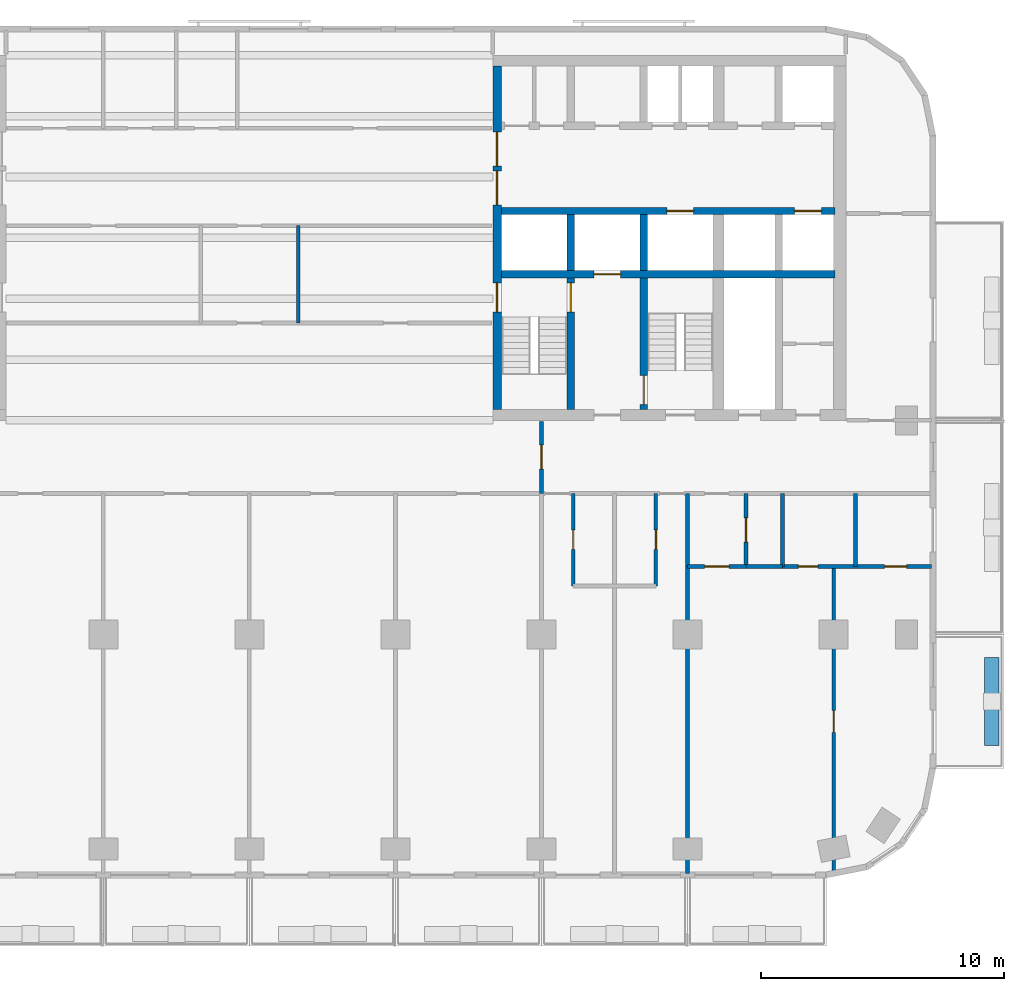
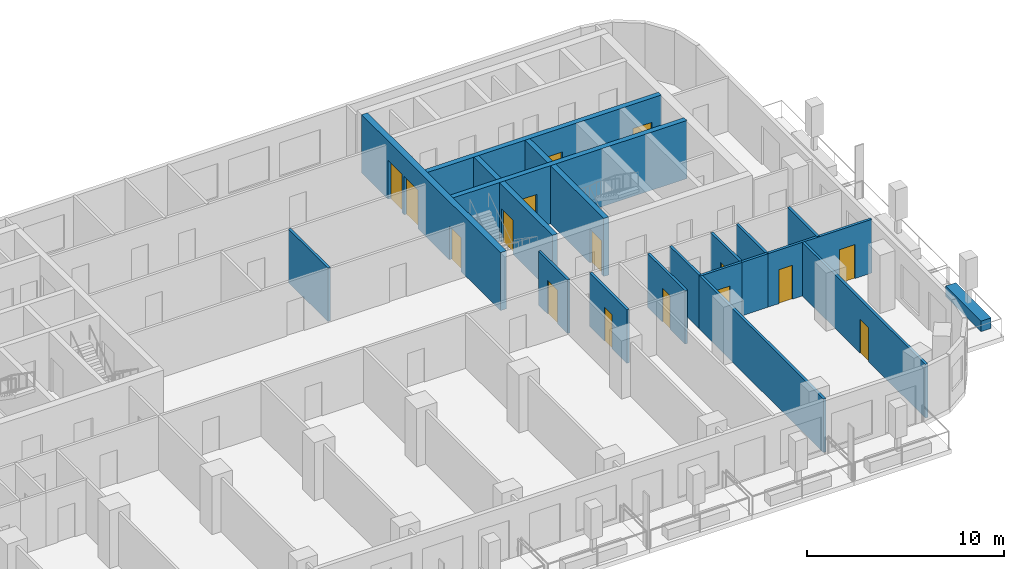
# One storey, part 5 of 12: 21 walls, 16 doors, 16 openings.
"""IFC4 building model written with IfcOpenShell, lengths in metres."""

from ifc_helpers import new_model, si_unit, direction, frame, frame_2d, origin, place, context, subcontext, project, spatial, rectangle, extrude, material, layer, layer_set, type_object, element, fill, save


model = new_model("IFC4")

# Units and contexts
model_context = context("Model", 3, precision=1e-05, world=origin(), true_north=direction((0.0, 1.0)))
body_context = subcontext(model_context, "Body", "Model", "MODEL_VIEW")
ifc_project = project(units=[si_unit("LENGTHUNIT", "METRE"), si_unit("AREAUNIT", "SQUARE_METRE"), si_unit("VOLUMEUNIT", "CUBIC_METRE"), si_unit("PLANEANGLEUNIT", "RADIAN"), si_unit("MASSUNIT", "GRAM", prefix="KILO")], contexts=[model_context])

# Site, building, storey
site_placement = place(None, origin())
site = spatial("IfcSite", under=ifc_project, at=site_placement, CompositionType="ELEMENT")
building_placement = place(site_placement, origin())
building = spatial("IfcBuilding", under=site, at=building_placement, Name="Torana Hotel and Residences", CompositionType="ELEMENT")
storey_placement = place(building_placement, frame((0.0, 0.0, 156.0)))
storey = spatial("IfcBuildingStorey", under=building, at=storey_placement, Name="L40", CompositionType="ELEMENT", Elevation=156.0)

# Wall, openings, doors
ifc_material_1 = material(Name="Concrete C70/85", Category="concrete")
ifc_layer_1 = layer(ifc_material_1, 0.300048828125)
ifc_layer_set_1 = layer_set([ifc_layer_1], Name="CORE WALL 300 C70/85")
wall_type_1 = type_object("IfcWallType", Name="CORE WALL 300 C70/85", PredefinedType="SHEAR", material=ifc_layer_set_1)
wall_1_placement = place(storey_placement, frame((10.35009765625, -6.39990234375, 0.0), z_axis=(0.0, 0.0, 1.0), x_axis=(1.0, 0.0, 0.0)))
wall_1 = element("IfcWall", 1, at=wall_1_placement, inside=storey, type_object=wall_type_1, Name="Core wall E row-S", PredefinedType="SHEAR", context=body_context, shape_type="SweptSolid", body=[
    extrude(rectangle(XDim=13.699951171875, YDim=0.300048828125, at=frame_2d((6.85009765625, 0.0))), origin(), (0.0, 0.0, 1.0), 3.60009765625),
])
opening_1_placement = place(wall_1_placement, frame((12.050048828125, 0.0, 0.0)))
opening_1 = element("IfcOpeningElement", 2, at=opening_1_placement, cuts=wall_1, Name="Opening LD", PredefinedType="OPENING", context=body_context, shape_type="SweptSolid", body=[
    extrude(rectangle(XDim=1.10009765625, YDim=2.10009765625, at=frame_2d((0.550048828125, 1.050048828125))), frame((0.0, 0.159912109375, 0.0), z_axis=(0.0, -1.0, 0.0), x_axis=(1.0, 0.0, 0.0)), (0.0, 0.0, 1.0), 0.320068359375),
])
opening_2_placement = place(wall_1_placement, frame((6.800048828125, 0.0, 0.0)))
opening_2 = element("IfcOpeningElement", 3, at=opening_2_placement, cuts=wall_1, Name="Opening LD", PredefinedType="OPENING", context=body_context, shape_type="SweptSolid", body=[
    extrude(rectangle(XDim=1.10009765625, YDim=2.10009765625, at=frame_2d((0.550048828125, 1.050048828125))), frame((0.0, 0.159912109375, 0.0), z_axis=(0.0, -1.0, 0.0), x_axis=(1.0, 0.0, 0.0)), (0.0, 0.0, 1.0), 0.320068359375),
])
ifc_material_2 = material(Name="Stainless steel 316", Category="steel")
door_type_1 = type_object("IfcDoorType", Name="LIFT LANDING DOOR LD 1100x2100", OperationType="DOUBLE_DOOR_SLIDING", PredefinedType="USERDEFINED", material=ifc_material_2)
door_1_placement = place(opening_1_placement, origin())
door_1 = element("IfcDoor", 4, at=door_1_placement, inside=storey, type_object=door_type_1, Name="Lift landing door M4 L40", ObjectType="LIFT LANDING DOOR", OperationType="DOUBLE_DOOR_SLIDING", OverallHeight=2.10009765625, OverallWidth=1.10009765625, PredefinedType="USERDEFINED", context=body_context, shape_type="SweptSolid", body=[
    extrude(rectangle(XDim=1.10009765625, YDim=2.10009765625, at=frame_2d((0.550048828125, 1.050048828125))), frame((0.0, 0.02490234375, 0.0), z_axis=(0.0, -1.0, 0.0), x_axis=(1.0, 0.0, 0.0)), (0.0, 0.0, 1.0), 0.050048828125),
])
fill(opening_1, door_1)
door_2_placement = place(opening_2_placement, origin())
door_2 = element("IfcDoor", 5, at=door_2_placement, inside=storey, type_object=door_type_1, Name="Lift landing door SV2 L40", ObjectType="LIFT LANDING DOOR", OperationType="DOUBLE_DOOR_SLIDING", OverallHeight=2.10009765625, OverallWidth=1.10009765625, PredefinedType="USERDEFINED", context=body_context, shape_type="SweptSolid", body=[
    extrude(rectangle(XDim=1.10009765625, YDim=2.10009765625, at=frame_2d((0.550048828125, 1.050048828125))), frame((0.0, 0.02490234375, 0.0), z_axis=(0.0, -1.0, 0.0), x_axis=(1.0, 0.0, 0.0)), (0.0, 0.0, 1.0), 0.050048828125),
])
fill(opening_2, door_2)

# Wall, opening, door
wall_2_placement = place(storey_placement, frame((10.35009765625, -9.0, 0.0), z_axis=(0.0, 0.0, 1.0), x_axis=(1.0, 0.0, 0.0)))
wall_2 = element("IfcWall", 6, at=wall_2_placement, inside=storey, type_object=wall_type_1, Name="Core wall E band", PredefinedType="SHEAR", context=body_context, shape_type="SweptSolid", body=[
    extrude(rectangle(XDim=13.699951171875, YDim=0.300048828125, at=frame_2d((6.85009765625, 0.0))), origin(), (0.0, 0.0, 1.0), 3.60009765625),
])
opening_3_placement = place(wall_2_placement, frame((3.800048828125, 0.0, 0.0)))
opening_3 = element("IfcOpeningElement", 7, at=opening_3_placement, cuts=wall_2, Name="Opening LD", PredefinedType="OPENING", context=body_context, shape_type="SweptSolid", body=[
    extrude(rectangle(XDim=1.10009765625, YDim=2.10009765625, at=frame_2d((0.550048828125, 1.050048828125))), frame((0.0, 0.159912109375, 0.0), z_axis=(0.0, -1.0, 0.0), x_axis=(1.0, 0.0, 0.0)), (0.0, 0.0, 1.0), 0.320068359375),
])
door_3_placement = place(opening_3_placement, origin())
door_3 = element("IfcDoor", 8, at=door_3_placement, inside=storey, type_object=door_type_1, Name="Lift landing door FF2 L40", ObjectType="LIFT LANDING DOOR", OperationType="DOUBLE_DOOR_SLIDING", OverallHeight=2.10009765625, OverallWidth=1.10009765625, PredefinedType="USERDEFINED", context=body_context, shape_type="SweptSolid", body=[
    extrude(rectangle(XDim=1.10009765625, YDim=2.10009765625, at=frame_2d((0.550048828125, 1.050048828125))), frame((0.0, 0.02490234375, 0.0), z_axis=(0.0, -1.0, 0.0), x_axis=(1.0, 0.0, 0.0)), (0.0, 0.0, 1.0), 0.050048828125),
])
fill(opening_3, door_3)

# Wall
wall_3_placement = place(storey_placement, frame((13.199951171875, -8.85009765625, 0.0), z_axis=(0.0, 0.0, 1.0), x_axis=(0.0, 1.0, 0.0)))
element("IfcWall", 9, at=wall_3_placement, inside=storey, type_object=wall_type_1, Name="Core wall E x3.05-S", PredefinedType="SHEAR", context=body_context, shape_type="SweptSolid", body=[
    extrude(rectangle(XDim=2.300048828125, YDim=0.300048828125, at=frame_2d((1.14990234375, 0.0))), origin(), (0.0, 0.0, 1.0), 3.60009765625),
])

# Wall, opening, door
wall_4_placement = place(storey_placement, frame((13.199951171875, -14.550048828125, 0.0), z_axis=(0.0, 0.0, 1.0), x_axis=(0.0, 1.0, 0.0)))
wall_4 = element("IfcWall", 10, at=wall_4_placement, inside=storey, type_object=wall_type_1, Name="Core wall E x3.05-band", PredefinedType="SHEAR", context=body_context, shape_type="SweptSolid", body=[
    extrude(rectangle(XDim=5.400146484375, YDim=0.300048828125, at=frame_2d((2.7001953125, 0.0))), origin(), (0.0, 0.0, 1.0), 3.60009765625),
])
opening_4_placement = place(wall_4_placement, frame((4.0, 0.0, 0.0)))
opening_4 = element("IfcOpeningElement", 11, at=opening_4_placement, cuts=wall_4, Name="Opening L40-29", PredefinedType="OPENING", context=body_context, shape_type="SweptSolid", body=[
    extrude(rectangle(XDim=1.199951171875, YDim=2.10009765625, at=frame_2d((0.60009765625, 1.050048828125))), frame((0.0, 0.159912109375, 0.0), z_axis=(0.0, -1.0, 0.0), x_axis=(1.0, 0.0, 0.0)), (0.0, 0.0, 1.0), 0.320068359375),
])
ifc_material_3 = material(Name="Steel S235", Category="steel")
door_type_2 = type_object("IfcDoorType", Name="STAIR FIRE DOOR D3 1200x2100", OperationType="SINGLE_SWING_LEFT", PredefinedType="DOOR", material=ifc_material_3)
door_4_placement = place(opening_4_placement, origin())
door_4 = element("IfcDoor", 12, at=door_4_placement, inside=storey, type_object=door_type_2, Name="Stair-A-lobby door L40", OperationType="SINGLE_SWING_LEFT", OverallHeight=2.10009765625, OverallWidth=1.199951171875, PredefinedType="DOOR", context=body_context, shape_type="SweptSolid", body=[
    extrude(rectangle(XDim=1.199951171875, YDim=2.10009765625, at=frame_2d((0.60009765625, 1.050048828125))), frame((0.0, 0.02490234375, 0.0), z_axis=(0.0, -1.0, 0.0), x_axis=(1.0, 0.0, 0.0)), (0.0, 0.0, 1.0), 0.050048828125),
])
fill(opening_4, door_4)

# Wall
wall_5_placement = place(storey_placement, frame((16.199951171875, -8.85009765625, 0.0), z_axis=(0.0, 0.0, 1.0), x_axis=(0.0, 1.0, 0.0)))
element("IfcWall", 13, at=wall_5_placement, inside=storey, type_object=wall_type_1, Name="Core wall E x6.05-S", PredefinedType="SHEAR", context=body_context, shape_type="SweptSolid", body=[
    extrude(rectangle(XDim=2.300048828125, YDim=0.300048828125, at=frame_2d((1.14990234375, 0.0))), origin(), (0.0, 0.0, 1.0), 3.60009765625),
])

# Wall, opening, door
wall_6_placement = place(storey_placement, frame((16.199951171875, -14.550048828125, 0.0), z_axis=(0.0, 0.0, 1.0), x_axis=(0.0, 1.0, 0.0)))
wall_6 = element("IfcWall", 14, at=wall_6_placement, inside=storey, type_object=wall_type_1, Name="Core wall E x6.05-band", PredefinedType="SHEAR", context=body_context, shape_type="SweptSolid", body=[
    extrude(rectangle(XDim=5.400146484375, YDim=0.300048828125, at=frame_2d((2.7001953125, 0.0))), origin(), (0.0, 0.0, 1.0), 3.60009765625),
])
opening_5_placement = place(wall_6_placement, frame((0.199951171875, 0.0, 0.0)))
opening_5 = element("IfcOpeningElement", 15, at=opening_5_placement, cuts=wall_6, Name="Opening L40-30", PredefinedType="OPENING", context=body_context, shape_type="SweptSolid", body=[
    extrude(rectangle(XDim=1.199951171875, YDim=2.10009765625, at=frame_2d((0.60009765625, 1.050048828125))), frame((0.0, 0.159912109375, 0.0), z_axis=(0.0, -1.0, 0.0), x_axis=(1.0, 0.0, 0.0)), (0.0, 0.0, 1.0), 0.320068359375),
])
door_5_placement = place(opening_5_placement, frame((0.60009765625, 0.0, 0.0), z_axis=(0.0, 0.0, 1.0), x_axis=(-1.0, 0.0, 0.0)))
door_5 = element("IfcDoor", 16, at=door_5_placement, inside=storey, type_object=door_type_2, Name="Stair-B-lobby door L40", OperationType="SINGLE_SWING_LEFT", OverallHeight=2.10009765625, OverallWidth=1.199951171875, PredefinedType="DOOR", context=body_context, shape_type="SweptSolid", body=[
    extrude(rectangle(XDim=1.199951171875, YDim=2.10009765625, at=frame_2d((0.0, 1.050048828125))), frame((0.0, -0.02490234375, 0.0), z_axis=(0.0, 1.0, 0.0), x_axis=(-1.0, 0.0, 0.0)), (0.0, 0.0, 1.0), 0.050048828125),
])
fill(opening_5, door_5)

# Wall, openings, doors
ifc_material_4 = material(Name="Concrete C70/85", Category="concrete")
ifc_layer_2 = layer(ifc_material_4, 0.35009765625)
ifc_layer_set_2 = layer_set([ifc_layer_2], Name="CORE WALL 350 C70/85")
wall_type_2 = type_object("IfcWallType", Name="CORE WALL 350 C70/85", PredefinedType="SHEAR", material=ifc_layer_set_2)
wall_7_placement = place(storey_placement, frame((10.175048828125, -14.550048828125, 0.0), z_axis=(0.0, 0.0, 1.0), x_axis=(0.0, 1.0, 0.0)))
wall_7 = element("IfcWall", 17, at=wall_7_placement, inside=storey, type_object=wall_type_2, Name="Core wall E arch", PredefinedType="SHEAR", context=body_context, shape_type="SweptSolid", body=[
    extrude(rectangle(XDim=14.10009765625, YDim=0.35009765625, at=frame_2d((7.050048828125, 0.0))), origin(), (0.0, 0.0, 1.0), 3.60009765625),
])
opening_6_placement = place(wall_7_placement, frame((8.39990234375, 0.0, 0.0)))
opening_6 = element("IfcOpeningElement", 18, at=opening_6_placement, cuts=wall_7, Name="Opening L40-16", PredefinedType="OPENING", context=body_context, shape_type="SweptSolid", body=[
    extrude(rectangle(XDim=1.39990234375, YDim=2.39990234375, at=frame_2d((0.699951171875, 1.199951171875))), frame((0.0, 0.18505859375, 0.0), z_axis=(0.0, -1.0, 0.0), x_axis=(1.0, 0.0, 0.0)), (0.0, 0.0, 1.0), 0.3701171875),
])
opening_7_placement = place(wall_7_placement, frame((10.0, 0.0, 0.0)))
opening_7 = element("IfcOpeningElement", 19, at=opening_7_placement, cuts=wall_7, Name="Opening L40-17", PredefinedType="OPENING", context=body_context, shape_type="SweptSolid", body=[
    extrude(rectangle(XDim=1.39990234375, YDim=2.39990234375, at=frame_2d((0.699951171875, 1.199951171875))), frame((0.0, 0.18505859375, 0.0), z_axis=(0.0, -1.0, 0.0), x_axis=(1.0, 0.0, 0.0)), (0.0, 0.0, 1.0), 0.3701171875),
])
opening_8_placement = place(wall_7_placement, frame((4.0, 0.0, 0.0)))
opening_8 = element("IfcOpeningElement", 20, at=opening_8_placement, cuts=wall_7, Name="Opening L40-18", PredefinedType="OPENING", context=body_context, shape_type="SweptSolid", body=[
    extrude(rectangle(XDim=1.199951171875, YDim=2.10009765625, at=frame_2d((0.60009765625, 1.050048828125))), frame((0.0, 0.18505859375, 0.0), z_axis=(0.0, -1.0, 0.0), x_axis=(1.0, 0.0, 0.0)), (0.0, 0.0, 1.0), 0.3701171875),
])
ifc_material_5 = material(Name="Steel S235", Category="steel")
door_type_3 = type_object("IfcDoorType", Name="LOBBY FIRE DOOR D4 1400x2400", OperationType="DOUBLE_DOOR_SINGLE_SWING", PredefinedType="DOOR", material=ifc_material_5)
door_6_placement = place(opening_6_placement, origin())
door_6 = element("IfcDoor", 21, at=door_6_placement, inside=storey, type_object=door_type_3, Name="Lobby-1 door L40", OperationType="DOUBLE_DOOR_SINGLE_SWING", OverallHeight=2.39990234375, OverallWidth=1.39990234375, PredefinedType="DOOR", context=body_context, shape_type="SweptSolid", body=[
    extrude(rectangle(XDim=1.39990234375, YDim=2.39990234375, at=frame_2d((0.699951171875, 1.199951171875))), frame((0.0, 0.02490234375, 0.0), z_axis=(0.0, -1.0, 0.0), x_axis=(1.0, 0.0, 0.0)), (0.0, 0.0, 1.0), 0.050048828125),
])
fill(opening_6, door_6)
door_7_placement = place(opening_7_placement, origin())
door_7 = element("IfcDoor", 22, at=door_7_placement, inside=storey, type_object=door_type_3, Name="Lobby-2 door L40", OperationType="DOUBLE_DOOR_SINGLE_SWING", OverallHeight=2.39990234375, OverallWidth=1.39990234375, PredefinedType="DOOR", context=body_context, shape_type="SweptSolid", body=[
    extrude(rectangle(XDim=1.39990234375, YDim=2.39990234375, at=frame_2d((0.699951171875, 1.199951171875))), frame((0.0, 0.02490234375, 0.0), z_axis=(0.0, -1.0, 0.0), x_axis=(1.0, 0.0, 0.0)), (0.0, 0.0, 1.0), 0.050048828125),
])
fill(opening_7, door_7)
door_8_placement = place(opening_8_placement, frame((0.60009765625, 0.0, 0.0), z_axis=(0.0, 0.0, 1.0), x_axis=(-1.0, 0.0, 0.0)))
door_8 = element("IfcDoor", 23, at=door_8_placement, inside=storey, type_object=door_type_2, Name="Stair-A door L40", OperationType="SINGLE_SWING_RIGHT", OverallHeight=2.10009765625, OverallWidth=1.199951171875, PredefinedType="DOOR", context=body_context, shape_type="SweptSolid", body=[
    extrude(rectangle(XDim=1.199951171875, YDim=2.10009765625, at=frame_2d((0.0, 1.050048828125))), frame((0.0, -0.02490234375, 0.0), z_axis=(0.0, 1.0, 0.0), x_axis=(-1.0, 0.0, 0.0)), (0.0, 0.0, 1.0), 0.050048828125),
])
fill(opening_8, door_8)

# Wall, opening, door
ifc_material_6 = material(Name="Gypsum plaster")
ifc_layer_3 = layer(ifc_material_6, 0.014892578125, Name="Plaster", Category="finish")
ifc_material_7 = material(Name="Concrete blockwork", Category="masonry")
ifc_layer_4 = layer(ifc_material_7, 0.1201171875, Name="Blockwork", Category="structure")
ifc_layer_5 = layer(ifc_material_6, 0.014892578125, Name="Plaster", Category="finish")
ifc_layer_set_3 = layer_set([ifc_layer_3, ifc_layer_4, ifc_layer_5], Name="FIRE PARTITION 150 BLOCKWORK")
wall_type_3 = type_object("IfcWallType", Name="FIRE PARTITION 150 BLOCKWORK", PredefinedType="PARTITIONING", material=ifc_layer_set_3)
wall_8_placement = place(storey_placement, frame((20.39990234375, -21.0, 0.0), z_axis=(0.0, 0.0, 1.0), x_axis=(0.0, 1.0, 0.0)))
wall_8 = element("IfcWall", 24, at=wall_8_placement, inside=storey, type_object=wall_type_3, Name="Partition L40", PredefinedType="PARTITIONING", context=body_context, shape_type="SweptSolid", body=[
    extrude(rectangle(XDim=3.0, YDim=0.14990234375, at=frame_2d((1.5, 0.0))), origin(), (0.0, 0.0, 1.0), 3.320068359375),
])
opening_9_placement = place(wall_8_placement, frame((1.0, 0.0, 0.0)))
opening_9 = element("IfcOpeningElement", 25, at=opening_9_placement, cuts=wall_8, Name="Opening L40-61", PredefinedType="OPENING", context=body_context, shape_type="SweptSolid", body=[
    extrude(rectangle(XDim=1.0, YDim=2.10009765625, at=frame_2d((0.5, 1.050048828125))), frame((0.0, 0.0849609375, 0.0), z_axis=(0.0, -1.0, 0.0), x_axis=(1.0, 0.0, 0.0)), (0.0, 0.0, 1.0), 0.169921875),
])
ifc_material_8 = material(Name="Steel S235", Category="steel")
door_type_4 = type_object("IfcDoorType", Name="ENTRY FIRE DOOR D6 1000x2100", OperationType="SINGLE_SWING_LEFT", PredefinedType="DOOR", material=ifc_material_8)
door_9_placement = place(opening_9_placement, frame((0.5, 0.0, 0.0), z_axis=(0.0, 0.0, 1.0), x_axis=(-1.0, 0.0, 0.0)))
door_9 = element("IfcDoor", 26, at=door_9_placement, inside=storey, type_object=door_type_4, Name="Door L40", OperationType="SINGLE_SWING_LEFT", OverallHeight=2.10009765625, OverallWidth=1.0, PredefinedType="DOOR", context=body_context, shape_type="SweptSolid", body=[
    extrude(rectangle(XDim=1.0, YDim=2.10009765625, at=frame_2d((0.0, 1.050048828125))), frame((0.0, -0.02490234375, 0.0), z_axis=(0.0, 1.0, 0.0), x_axis=(-1.0, 0.0, 0.0)), (0.0, 0.0, 1.0), 0.050048828125),
])
fill(opening_9, door_9)

# Wall
wall_9_placement = place(storey_placement, frame((18.0, -21.0, 0.0), z_axis=(0.0, 0.0, 1.0), x_axis=(0.0, 1.0, 0.0)))
element("IfcWall", 27, at=wall_9_placement, inside=storey, type_object=wall_type_3, Name="Partition L40", PredefinedType="PARTITIONING", context=body_context, shape_type="SweptSolid", body=[
    extrude(rectangle(XDim=3.0, YDim=0.14990234375, at=frame_2d((1.5, 0.0))), origin(), (0.0, 0.0, 1.0), 3.320068359375),
])

# Wall, opening, door
wall_10_placement = place(storey_placement, frame((12.0, -18.0, 0.0), z_axis=(0.0, 0.0, 1.0), x_axis=(0.0, 1.0, 0.0)))
wall_10 = element("IfcWall", 28, at=wall_10_placement, inside=storey, type_object=wall_type_3, Name="Partition L40", PredefinedType="PARTITIONING", context=body_context, shape_type="SweptSolid", body=[
    extrude(rectangle(XDim=2.949951171875, YDim=0.14990234375, at=frame_2d((1.47509765625, 0.0))), origin(), (0.0, 0.0, 1.0), 3.320068359375),
])
opening_10_placement = place(wall_10_placement, frame((1.0, 0.0, 0.0)))
opening_10 = element("IfcOpeningElement", 29, at=opening_10_placement, cuts=wall_10, Name="Opening L40-37", PredefinedType="OPENING", context=body_context, shape_type="SweptSolid", body=[
    extrude(rectangle(XDim=1.0, YDim=2.10009765625, at=frame_2d((0.5, 1.050048828125))), frame((0.0, 0.0849609375, 0.0), z_axis=(0.0, -1.0, 0.0), x_axis=(1.0, 0.0, 0.0)), (0.0, 0.0, 1.0), 0.169921875),
])
door_10_placement = place(opening_10_placement, origin())
door_10 = element("IfcDoor", 30, at=door_10_placement, inside=storey, type_object=door_type_4, Name="Door L40", OperationType="SINGLE_SWING_RIGHT", OverallHeight=2.10009765625, OverallWidth=1.0, PredefinedType="DOOR", context=body_context, shape_type="SweptSolid", body=[
    extrude(rectangle(XDim=1.0, YDim=2.10009765625, at=frame_2d((0.5, 1.050048828125))), frame((0.0, 0.02490234375, 0.0), z_axis=(0.0, -1.0, 0.0), x_axis=(1.0, 0.0, 0.0)), (0.0, 0.0, 1.0), 0.050048828125),
])
fill(opening_10, door_10)

# Wall
wall_11_placement = place(storey_placement, frame((2.0, -11.0, 0.0), z_axis=(0.0, 0.0, 1.0), x_axis=(0.0, 1.0, 0.0)))
element("IfcWall", 31, at=wall_11_placement, inside=storey, type_object=wall_type_3, Name="Partition L40", PredefinedType="PARTITIONING", context=body_context, shape_type="SweptSolid", body=[
    extrude(rectangle(XDim=4.0, YDim=0.14990234375, at=frame_2d((2.0, 0.0))), origin(), (0.0, 0.0, 1.0), 3.320068359375),
])

# Wall, opening, door
wall_12_placement = place(storey_placement, frame((18.0, -21.0, 0.0), z_axis=(0.0, 0.0, 1.0), x_axis=(1.0, 0.0, 0.0)))
wall_12 = element("IfcWall", 32, at=wall_12_placement, inside=storey, type_object=wall_type_3, Name="Partition L40", PredefinedType="PARTITIONING", context=body_context, shape_type="SweptSolid", body=[
    extrude(rectangle(XDim=2.39990234375, YDim=0.14990234375, at=frame_2d((1.199951171875, 0.0))), origin(), (0.0, 0.0, 1.0), 3.320068359375),
])
opening_11_placement = place(wall_12_placement, frame((0.699951171875, 0.0, 0.0)))
opening_11 = element("IfcOpeningElement", 33, at=opening_11_placement, cuts=wall_12, Name="Opening L40-62", PredefinedType="OPENING", context=body_context, shape_type="SweptSolid", body=[
    extrude(rectangle(XDim=1.0, YDim=2.10009765625, at=frame_2d((0.5, 1.050048828125))), frame((0.0, 0.0849609375, 0.0), z_axis=(0.0, -1.0, 0.0), x_axis=(1.0, 0.0, 0.0)), (0.0, 0.0, 1.0), 0.169921875),
])
door_11_placement = place(opening_11_placement, frame((0.5, 0.0, 0.0), z_axis=(0.0, 0.0, 1.0), x_axis=(-1.0, 0.0, 0.0)))
door_11 = element("IfcDoor", 34, at=door_11_placement, inside=storey, type_object=door_type_4, Name="Door L40", OperationType="SINGLE_SWING_LEFT", OverallHeight=2.10009765625, OverallWidth=1.0, PredefinedType="DOOR", context=body_context, shape_type="SweptSolid", body=[
    extrude(rectangle(XDim=1.0, YDim=2.10009765625, at=frame_2d((0.0, 1.050048828125))), frame((0.0, -0.02490234375, 0.0), z_axis=(0.0, 1.0, 0.0), x_axis=(-1.0, 0.0, 0.0)), (0.0, 0.0, 1.0), 0.050048828125),
])
fill(opening_11, door_11)

# Wall
ifc_material_9 = material(Name="Gypsum plasterboard")
ifc_layer_6 = layer(ifc_material_9, 0.012451171875, Name="Plasterboard", Category="finish")
ifc_layer_7 = layer(ifc_material_9, 0.012451171875, Name="Plasterboard", Category="finish")
ifc_material_10 = material(Name="Steel S280GD", Category="steel")
ifc_layer_8 = layer(ifc_material_10, 0.10009765625, Name="Steel studs with mineral wool", Category="insulation")
ifc_layer_9 = layer(ifc_material_9, 0.012451171875, Name="Plasterboard", Category="finish")
ifc_layer_10 = layer(ifc_material_9, 0.012451171875, Name="Plasterboard", Category="finish")
ifc_layer_set_4 = layer_set([ifc_layer_6, ifc_layer_7, ifc_layer_8, ifc_layer_9, ifc_layer_10], Name="PARTITION 150 PLASTERBOARD")
wall_type_4 = type_object("IfcWallType", Name="PARTITION 150 PLASTERBOARD", PredefinedType="PARTITIONING", material=ifc_layer_set_4)
wall_13_placement = place(storey_placement, frame((24.89990234375, -21.0, 0.0), z_axis=(0.0, 0.0, 1.0), x_axis=(0.0, 1.0, 0.0)))
element("IfcWall", 35, at=wall_13_placement, inside=storey, type_object=wall_type_4, Name="Partition L40", PredefinedType="PARTITIONING", context=body_context, shape_type="SweptSolid", body=[
    extrude(rectangle(XDim=3.0, YDim=0.14990234375, at=frame_2d((1.5, 0.0))), origin(), (0.0, 0.0, 1.0), 3.320068359375),
])

# Wall, opening, door
wall_14_placement = place(storey_placement, frame((24.0, -33.556884765625, 0.0), z_axis=(0.0, 0.0, 1.0), x_axis=(0.0, 1.0, 0.0)))
wall_14 = element("IfcWall", 36, at=wall_14_placement, inside=storey, type_object=wall_type_4, Name="Partition L40", PredefinedType="PARTITIONING", context=body_context, shape_type="SweptSolid", body=[
    extrude(rectangle(XDim=12.556884765625, YDim=0.14990234375, at=frame_2d((6.2783203125, 0.0))), origin(), (0.0, 0.0, 1.0), 3.320068359375),
])
opening_12_placement = place(wall_14_placement, frame((5.73681640625, 0.0, 0.0)))
opening_12 = element("IfcOpeningElement", 37, at=opening_12_placement, cuts=wall_14, Name="Opening L40-65", PredefinedType="OPENING", context=body_context, shape_type="SweptSolid", body=[
    extrude(rectangle(XDim=0.89990234375, YDim=2.10009765625, at=frame_2d((0.449951171875, 1.050048828125))), frame((0.0, 0.0849609375, 0.0), z_axis=(0.0, -1.0, 0.0), x_axis=(1.0, 0.0, 0.0)), (0.0, 0.0, 1.0), 0.169921875),
])
ifc_material_11 = material(Name="Timber door, oiled ash", Category="wood")
door_type_5 = type_object("IfcDoorType", Name="ROOM DOOR D7 900x2100", OperationType="SINGLE_SWING_LEFT", PredefinedType="DOOR", material=ifc_material_11)
door_12_placement = place(opening_12_placement, origin())
door_12 = element("IfcDoor", 38, at=door_12_placement, inside=storey, type_object=door_type_5, Name="Door L40", OperationType="SINGLE_SWING_RIGHT", OverallHeight=2.10009765625, OverallWidth=0.89990234375, PredefinedType="DOOR", context=body_context, shape_type="SweptSolid", body=[
    extrude(rectangle(XDim=0.89990234375, YDim=2.10009765625, at=frame_2d((0.449951171875, 1.050048828125))), frame((0.0, 0.02490234375, 0.0), z_axis=(0.0, -1.0, 0.0), x_axis=(1.0, 0.0, 0.0)), (0.0, 0.0, 1.0), 0.050048828125),
])
fill(opening_12, door_12)

# Wall
wall_15_placement = place(storey_placement, frame((18.0, -33.6201171875, 0.0), z_axis=(0.0, 0.0, 1.0), x_axis=(0.0, 1.0, 0.0)))
element("IfcWall", 39, at=wall_15_placement, inside=storey, type_object=wall_type_4, Name="Partition L40", PredefinedType="PARTITIONING", context=body_context, shape_type="SweptSolid", body=[
    extrude(rectangle(XDim=12.6201171875, YDim=0.14990234375, at=frame_2d((6.31005859375, 0.0))), origin(), (0.0, 0.0, 1.0), 3.320068359375),
])

# Wall, opening, door
wall_16_placement = place(storey_placement, frame((16.699951171875, -21.800048828125, 0.0), z_axis=(0.0, 0.0, 1.0), x_axis=(0.0, 1.0, 0.0)))
wall_16 = element("IfcWall", 40, at=wall_16_placement, inside=storey, type_object=wall_type_4, Name="Partition L40", PredefinedType="PARTITIONING", context=body_context, shape_type="SweptSolid", body=[
    extrude(rectangle(XDim=3.800048828125, YDim=0.14990234375, at=frame_2d((1.89990234375, 0.0))), origin(), (0.0, 0.0, 1.0), 3.320068359375),
])
opening_13_placement = place(wall_16_placement, frame((1.5, 0.0, 0.0)))
opening_13 = element("IfcOpeningElement", 41, at=opening_13_placement, cuts=wall_16, Name="Opening L40-55", PredefinedType="OPENING", context=body_context, shape_type="SweptSolid", body=[
    extrude(rectangle(XDim=0.800048828125, YDim=2.10009765625, at=frame_2d((0.39990234375, 1.050048828125))), frame((0.0, 0.0849609375, 0.0), z_axis=(0.0, -1.0, 0.0), x_axis=(1.0, 0.0, 0.0)), (0.0, 0.0, 1.0), 0.169921875),
])
ifc_material_12 = material(Name="Timber door, painted", Category="wood")
door_type_6 = type_object("IfcDoorType", Name="BATH DOOR D13 800x2100", OperationType="SINGLE_SWING_LEFT", PredefinedType="DOOR", material=ifc_material_12)
door_13_placement = place(opening_13_placement, origin())
door_13 = element("IfcDoor", 42, at=door_13_placement, inside=storey, type_object=door_type_6, Name="Door L40", OperationType="SINGLE_SWING_RIGHT", OverallHeight=2.10009765625, OverallWidth=0.800048828125, PredefinedType="DOOR", context=body_context, shape_type="SweptSolid", body=[
    extrude(rectangle(XDim=0.800048828125, YDim=2.10009765625, at=frame_2d((0.39990234375, 1.050048828125))), frame((0.0, 0.02490234375, 0.0), z_axis=(0.0, -1.0, 0.0), x_axis=(1.0, 0.0, 0.0)), (0.0, 0.0, 1.0), 0.050048828125),
])
fill(opening_13, door_13)

wall_17_placement = place(storey_placement, frame((13.300048828125, -21.800048828125, 0.0), z_axis=(0.0, 0.0, 1.0), x_axis=(0.0, 1.0, 0.0)))
wall_17 = element("IfcWall", 43, at=wall_17_placement, inside=storey, type_object=wall_type_4, Name="Partition L40", PredefinedType="PARTITIONING", context=body_context, shape_type="SweptSolid", body=[
    extrude(rectangle(XDim=3.800048828125, YDim=0.14990234375, at=frame_2d((1.89990234375, 0.0))), origin(), (0.0, 0.0, 1.0), 3.320068359375),
])
opening_14_placement = place(wall_17_placement, frame((1.5, 0.0, 0.0)))
opening_14 = element("IfcOpeningElement", 44, at=opening_14_placement, cuts=wall_17, Name="Opening L40-54", PredefinedType="OPENING", context=body_context, shape_type="SweptSolid", body=[
    extrude(rectangle(XDim=0.800048828125, YDim=2.10009765625, at=frame_2d((0.39990234375, 1.050048828125))), frame((0.0, 0.0849609375, 0.0), z_axis=(0.0, -1.0, 0.0), x_axis=(1.0, 0.0, 0.0)), (0.0, 0.0, 1.0), 0.169921875),
])
door_14_placement = place(opening_14_placement, origin())
door_14 = element("IfcDoor", 45, at=door_14_placement, inside=storey, type_object=door_type_6, Name="Door L40", OperationType="SINGLE_SWING_RIGHT", OverallHeight=2.10009765625, OverallWidth=0.800048828125, PredefinedType="DOOR", context=body_context, shape_type="SweptSolid", body=[
    extrude(rectangle(XDim=0.800048828125, YDim=2.10009765625, at=frame_2d((0.39990234375, 1.050048828125))), frame((0.0, 0.02490234375, 0.0), z_axis=(0.0, -1.0, 0.0), x_axis=(1.0, 0.0, 0.0)), (0.0, 0.0, 1.0), 0.050048828125),
])
fill(opening_14, door_14)

# Wall, openings, doors
wall_18_placement = place(storey_placement, frame((21.89990234375, -21.0, 0.0), z_axis=(0.0, 0.0, 1.0), x_axis=(1.0, 0.0, 0.0)))
wall_18 = element("IfcWall", 46, at=wall_18_placement, inside=storey, type_object=wall_type_4, Name="Partition L40", PredefinedType="PARTITIONING", context=body_context, shape_type="SweptSolid", body=[
    extrude(rectangle(XDim=6.1201171875, YDim=0.14990234375, at=frame_2d((3.06005859375, 0.0))), origin(), (0.0, 0.0, 1.0), 3.320068359375),
])
opening_15_placement = place(wall_18_placement, frame((0.64990234375, 0.0, 0.0)))
opening_15 = element("IfcOpeningElement", 47, at=opening_15_placement, cuts=wall_18, Name="Opening L40-63", PredefinedType="OPENING", context=body_context, shape_type="SweptSolid", body=[
    extrude(rectangle(XDim=0.800048828125, YDim=2.10009765625, at=frame_2d((0.39990234375, 1.050048828125))), frame((0.0, 0.0849609375, 0.0), z_axis=(0.0, -1.0, 0.0), x_axis=(1.0, 0.0, 0.0)), (0.0, 0.0, 1.0), 0.169921875),
])
opening_16_placement = place(wall_18_placement, frame((4.199951171875, 0.0, 0.0)))
opening_16 = element("IfcOpeningElement", 48, at=opening_16_placement, cuts=wall_18, Name="Opening L40-64", PredefinedType="OPENING", context=body_context, shape_type="SweptSolid", body=[
    extrude(rectangle(XDim=0.89990234375, YDim=2.10009765625, at=frame_2d((0.449951171875, 1.050048828125))), frame((0.0, 0.0849609375, 0.0), z_axis=(0.0, -1.0, 0.0), x_axis=(1.0, 0.0, 0.0)), (0.0, 0.0, 1.0), 0.169921875),
])
door_15_placement = place(opening_15_placement, origin())
door_15 = element("IfcDoor", 49, at=door_15_placement, inside=storey, type_object=door_type_6, Name="Door L40", OperationType="SINGLE_SWING_RIGHT", OverallHeight=2.10009765625, OverallWidth=0.800048828125, PredefinedType="DOOR", context=body_context, shape_type="SweptSolid", body=[
    extrude(rectangle(XDim=0.800048828125, YDim=2.10009765625, at=frame_2d((0.39990234375, 1.050048828125))), frame((0.0, 0.02490234375, 0.0), z_axis=(0.0, -1.0, 0.0), x_axis=(1.0, 0.0, 0.0)), (0.0, 0.0, 1.0), 0.050048828125),
])
fill(opening_15, door_15)
door_16_placement = place(opening_16_placement, origin())
door_16 = element("IfcDoor", 50, at=door_16_placement, inside=storey, type_object=door_type_5, Name="Door L40", OperationType="SINGLE_SWING_LEFT", OverallHeight=2.10009765625, OverallWidth=0.89990234375, PredefinedType="DOOR", context=body_context, shape_type="SweptSolid", body=[
    extrude(rectangle(XDim=0.89990234375, YDim=2.10009765625, at=frame_2d((0.449951171875, 1.050048828125))), frame((0.0, 0.02490234375, 0.0), z_axis=(0.0, -1.0, 0.0), x_axis=(1.0, 0.0, 0.0)), (0.0, 0.0, 1.0), 0.050048828125),
])
fill(opening_16, door_16)

# Walls
ifc_material_13 = material(Name="Concrete C40/50 precast", Category="concrete")
ifc_layer_11 = layer(ifc_material_13, 0.10009765625, Name="Planter shell", Category="structure")
ifc_material_14 = material(Name="Root resistant membrane")
ifc_layer_12 = layer(ifc_material_14, 0.00390625, Name="Waterproofing membrane", Category="membrane")
ifc_material_15 = material(Name="Drainage board with filter fleece")
ifc_layer_13 = layer(ifc_material_15, 0.02001953125, Name="Drainage board", Category="drainage")
ifc_material_16 = material(Name="Growing medium")
ifc_layer_14 = layer(ifc_material_16, 0.47607421875, Name="Planting substrate", Category="soil")
ifc_layer_set_5 = layer_set([ifc_layer_11, ifc_layer_12, ifc_layer_13, ifc_layer_14], Name="PL1 BALCONY PLANTER 600")
wall_type_5 = type_object("IfcWallType", Name="PL1 BALCONY PLANTER 600", PredefinedType="USERDEFINED", material=ifc_layer_set_5)
wall_19_placement = place(storey_placement, frame((30.5, -24.75, 0.0), z_axis=(0.0, 0.0, 1.0), x_axis=(0.0, -1.0, 0.0)))
element("IfcWall", 51, at=wall_19_placement, inside=storey, type_object=wall_type_5, Name="Planter 12", ObjectType="PLANTER", PredefinedType="USERDEFINED", context=body_context, shape_type="SweptSolid", body=[
    extrude(rectangle(XDim=3.60009765625, YDim=0.60009765625, at=frame_2d((1.800048828125, 0.0))), origin(), (0.0, 0.0, 1.0), 0.64990234375),
])
ifc_material_17 = material(Name="Ceramic tile on adhesive")
ifc_layer_15 = layer(ifc_material_17, 0.010009765625, Name="Wall tile", Category="finish")
ifc_material_18 = material(Name="Cement render")
ifc_layer_16 = layer(ifc_material_18, 0.010009765625, Name="Render", Category="finish")
ifc_layer_17 = layer(ifc_material_7, 0.110107421875, Name="Blockwork", Category="structure")
ifc_layer_18 = layer(ifc_material_18, 0.010009765625, Name="Render", Category="finish")
ifc_layer_19 = layer(ifc_material_17, 0.010009765625, Name="Wall tile", Category="finish")
ifc_layer_set_6 = layer_set([ifc_layer_15, ifc_layer_16, ifc_layer_17, ifc_layer_18, ifc_layer_19], Name="WC PARTITION 150")
wall_type_6 = type_object("IfcWallType", Name="WC PARTITION 150", PredefinedType="PLUMBINGWALL", material=ifc_layer_set_6)
wall_20_placement = place(storey_placement, frame((21.89990234375, -21.0, 0.0), z_axis=(0.0, 0.0, 1.0), x_axis=(0.0, 1.0, 0.0)))
element("IfcWall", 52, at=wall_20_placement, inside=storey, type_object=wall_type_6, Name="Partition L40", PredefinedType="PLUMBINGWALL", context=body_context, shape_type="SweptSolid", body=[
    extrude(rectangle(XDim=3.0, YDim=0.14990234375, at=frame_2d((1.5, 0.0))), origin(), (0.0, 0.0, 1.0), 3.320068359375),
])
wall_21_placement = place(storey_placement, frame((20.39990234375, -21.0, 0.0), z_axis=(0.0, 0.0, 1.0), x_axis=(1.0, 0.0, 0.0)))
element("IfcWall", 53, at=wall_21_placement, inside=storey, type_object=wall_type_6, Name="Partition L40", PredefinedType="PLUMBINGWALL", context=body_context, shape_type="SweptSolid", body=[
    extrude(rectangle(XDim=1.5, YDim=0.14990234375, at=frame_2d((0.75, 0.0))), origin(), (0.0, 0.0, 1.0), 3.320068359375),
])

save(model, "model.ifc")
